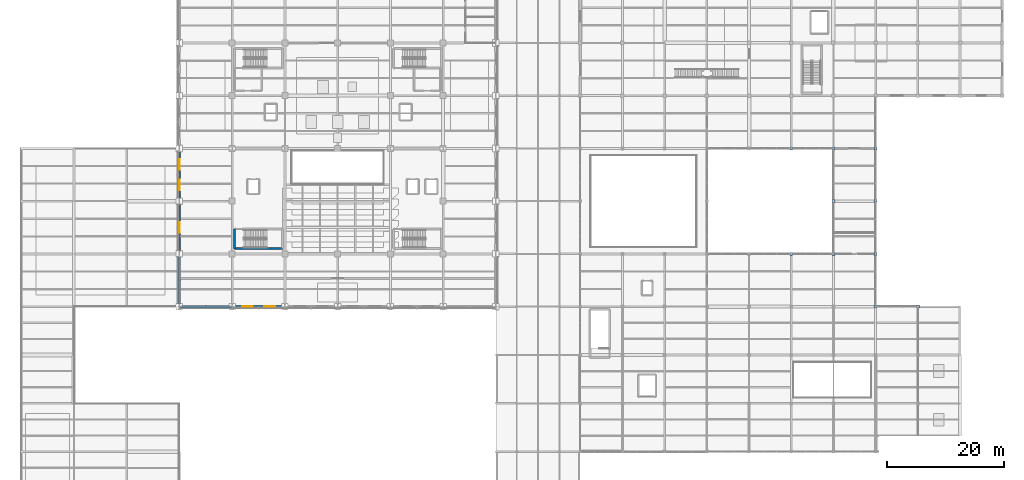
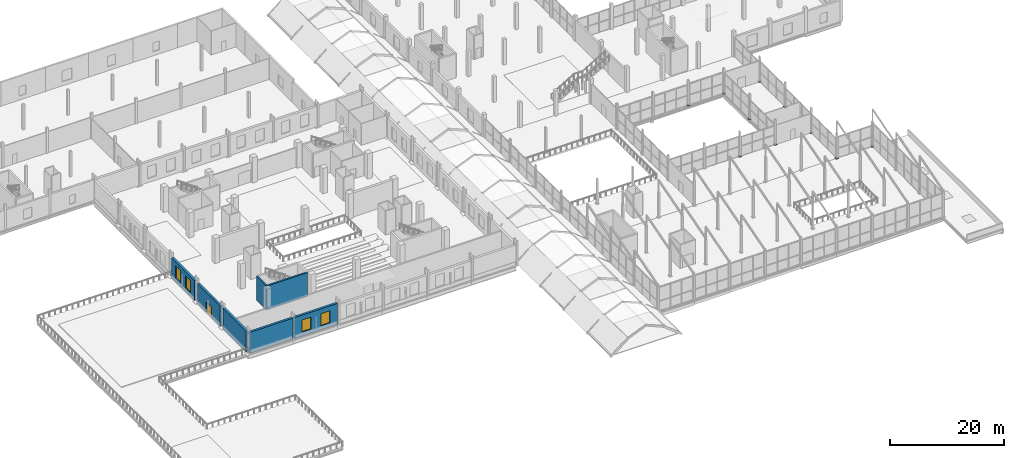
# One storey, part 116 of 141: 10 plates, 7 walls, 4 windows, 1 door, 5 openings.
"""IFC4 building model written with IfcOpenShell, lengths in metres."""

from ifc_helpers import new_model, si_unit, direction, frame, frame_2d, origin, origin_2d, place, context, subcontext, project, spatial, rectangle, extrude, material, layer, layer_set, type_object, element, fill, save


model = new_model("IFC4")

# Units and contexts
model_context = context("Model", 3, precision=1e-05, world=origin(), true_north=direction((0.0, 1.0)))
body_context = subcontext(model_context, "Body", "Model", "MODEL_VIEW")
ifc_project = project(units=[si_unit("LENGTHUNIT", "METRE"), si_unit("AREAUNIT", "SQUARE_METRE"), si_unit("VOLUMEUNIT", "CUBIC_METRE"), si_unit("PLANEANGLEUNIT", "RADIAN"), si_unit("MASSUNIT", "GRAM", prefix="KILO")], contexts=[model_context])

# Site, building, storey
site_placement = place(None, origin())
site = spatial("IfcSite", under=ifc_project, at=site_placement, CompositionType="ELEMENT")
building_placement = place(site_placement, origin())
building = spatial("IfcBuilding", under=site, at=building_placement, Name="Sundgate Opera House", CompositionType="ELEMENT")
storey_placement = place(building_placement, frame((0.0, 0.0, 11.39990234375)))
storey = spatial("IfcBuildingStorey", under=building, at=storey_placement, Name="L02", CompositionType="ELEMENT", Elevation=11.39990234375)

# Plates
ifc_material_1 = material(Name="Steel S355J2", Category="steel")
ifc_layer_1 = layer(ifc_material_1, 0.02587890625)
ifc_layer_set_1 = layer_set([ifc_layer_1], Name="Steel S355J2")
plate_type_1 = type_object("IfcPlateType", Name="PT-BAS-26", PredefinedType="USERDEFINED", material=ifc_layer_set_1)
plate_1_placement = place(storey_placement, frame((131.39990234375, 42.0, 0.000244140625), z_axis=(0.0, 0.0, 1.0), x_axis=(1.0, 0.0, 0.0)))
element("IfcPlate", 1, at=plate_1_placement, inside=storey, type_object=plate_type_1, Name="L02 Base Plate PT0327", ObjectType="BASE PLATE", PredefinedType="USERDEFINED", context=body_context, shape_type="SweptSolid", body=[
    extrude(rectangle(XDim=0.5, YDim=0.5, at=origin_2d()), origin(), (0.0, 0.0, 1.0), 0.02587890625),
])
ifc_material_2 = material(Name="Steel S355J2", Category="steel")
ifc_layer_2 = layer(ifc_material_2, 0.033935546875)
ifc_layer_set_2 = layer_set([ifc_layer_2], Name="Steel S355J2")
plate_type_2 = type_object("IfcPlateType", Name="PT-BAS-34", PredefinedType="USERDEFINED", material=ifc_layer_set_2)
plate_2_placement = place(storey_placement, frame((131.39990234375, 60.0, 0.0), z_axis=(0.0, 0.0, 1.0), x_axis=(1.0, 0.0, 0.0)))
element("IfcPlate", 2, at=plate_2_placement, inside=storey, type_object=plate_type_2, Name="L02 Base Plate PT0330", ObjectType="BASE PLATE", PredefinedType="USERDEFINED", context=body_context, shape_type="SweptSolid", body=[
    extrude(rectangle(XDim=0.5, YDim=0.5, at=origin_2d()), origin(), (0.0, 0.0, 1.0), 0.033935546875),
])
ifc_material_3 = material(Name="Steel S355J2", Category="steel")
ifc_layer_3 = layer(ifc_material_3, 0.035888671875)
ifc_layer_set_3 = layer_set([ifc_layer_3], Name="Steel S355J2")
plate_type_3 = type_object("IfcPlateType", Name="PT-BAS-36", PredefinedType="USERDEFINED", material=ifc_layer_set_3)
plate_3_placement = place(storey_placement, frame((138.60009765625, 42.0, 0.0), z_axis=(0.0, 0.0, 1.0), x_axis=(1.0, 0.0, 0.0)))
element("IfcPlate", 3, at=plate_3_placement, inside=storey, type_object=plate_type_3, Name="L02 Base Plate PT0346", ObjectType="BASE PLATE", PredefinedType="USERDEFINED", context=body_context, shape_type="SweptSolid", body=[
    extrude(rectangle(XDim=0.5, YDim=0.5, at=origin_2d()), origin(), (0.0, 0.0, 1.0), 0.035888671875),
])
ifc_material_4 = material(Name="Steel S355J2", Category="steel")
ifc_layer_4 = layer(ifc_material_4, 0.0400390625)
ifc_layer_set_4 = layer_set([ifc_layer_4], Name="Steel S355J2")
plate_type_4 = type_object("IfcPlateType", Name="PT-BAS-40", PredefinedType="USERDEFINED", material=ifc_layer_set_4)
plate_4_placement = place(storey_placement, frame((138.60009765625, 51.0, 0.0), z_axis=(0.0, 0.0, 1.0), x_axis=(1.0, 0.0, 0.0)))
element("IfcPlate", 4, at=plate_4_placement, inside=storey, type_object=plate_type_4, Name="L02 Base Plate PT0349", ObjectType="BASE PLATE", PredefinedType="USERDEFINED", context=body_context, shape_type="SweptSolid", body=[
    extrude(rectangle(XDim=0.5, YDim=0.5, at=origin_2d()), origin(), (0.0, 0.0, 1.0), 0.0400390625),
])
ifc_material_5 = material(Name="Steel S355J2", Category="steel")
ifc_layer_5 = layer(ifc_material_5, 0.044921875)
ifc_layer_set_5 = layer_set([ifc_layer_5], Name="Steel S355J2")
plate_type_5 = type_object("IfcPlateType", Name="PT-BAS-45", PredefinedType="USERDEFINED", material=ifc_layer_set_5)
for number, where, z_axis, x_axis, name in (
    (5, (138.60009765625, 60.0, 0.000244140625), (0.0, 0.0, 1.0), (1.0, 0.0, 0.0), "L02 Base Plate PT0352"),
    (6, (145.800048828125, 33.0, 0.000244140625), (0.0, 0.0, 1.0), (1.0, 0.0, 0.0), "L02 Base Plate PT0365"),
):
    element("IfcPlate", number, at=place(storey_placement, frame(where, z_axis=z_axis, x_axis=x_axis)), inside=storey, type_object=plate_type_5, Name=name, ObjectType="BASE PLATE", PredefinedType="USERDEFINED", context=body_context, shape_type="SweptSolid", body=[
        extrude(rectangle(XDim=0.5, YDim=0.5, at=origin_2d()), origin(), (0.0, 0.0, 1.0), 0.044921875),
    ])
ifc_material_6 = material(Name="Steel S355J2", Category="steel")
ifc_layer_6 = layer(ifc_material_6, 0.050048828125)
ifc_layer_set_6 = layer_set([ifc_layer_6], Name="Steel S355J2")
plate_type_6 = type_object("IfcPlateType", Name="PT-BAS-50", PredefinedType="USERDEFINED", material=ifc_layer_set_6)
plate_5_placement = place(storey_placement, frame((145.800048828125, 42.0, 0.0), z_axis=(0.0, 0.0, 1.0), x_axis=(1.0, 0.0, 0.0)))
element("IfcPlate", 7, at=plate_5_placement, inside=storey, type_object=plate_type_6, Name="L02 Base Plate PT0368", ObjectType="BASE PLATE", PredefinedType="USERDEFINED", context=body_context, shape_type="SweptSolid", body=[
    extrude(rectangle(XDim=0.5, YDim=0.5, at=origin_2d()), origin(), (0.0, 0.0, 1.0), 0.050048828125),
])
ifc_material_7 = material(Name="Steel S355J2", Category="steel")
ifc_layer_7 = layer(ifc_material_7, 0.06201171875)
ifc_layer_set_7 = layer_set([ifc_layer_7], Name="Steel S355J2")
plate_type_7 = type_object("IfcPlateType", Name="PT-BAS-62", PredefinedType="USERDEFINED", material=ifc_layer_set_7)
plate_6_placement = place(storey_placement, frame((145.800048828125, 60.0, 0.0), z_axis=(0.0, 0.0, 1.0), x_axis=(1.0, 0.0, 0.0)))
element("IfcPlate", 8, at=plate_6_placement, inside=storey, type_object=plate_type_7, Name="L02 Base Plate PT0374", ObjectType="BASE PLATE", PredefinedType="USERDEFINED", context=body_context, shape_type="SweptSolid", body=[
    extrude(rectangle(XDim=0.5, YDim=0.5, at=origin_2d()), origin(), (0.0, 0.0, 1.0), 0.06201171875),
])
ifc_material_8 = material(Name="Steel S355J2", Category="steel")
ifc_layer_8 = layer(ifc_material_8, 0.068115234375)
ifc_layer_set_8 = layer_set([ifc_layer_8], Name="Steel S355J2")
plate_type_8 = type_object("IfcPlateType", Name="PT-BAS-68", PredefinedType="USERDEFINED", material=ifc_layer_set_8)
for number, where, z_axis, x_axis, name in (
    (9, (145.800048828125, 51.0, 0.0), (0.0, 0.0, 1.0), (1.0, 0.0, 0.0), "L02 Base Plate PT0371"),
    (10, (153.0, 33.0, 0.0), (0.0, 0.0, 1.0), (1.0, 0.0, 0.0), "L02 Base Plate PT0388"),
):
    element("IfcPlate", number, at=place(storey_placement, frame(where, z_axis=z_axis, x_axis=x_axis)), inside=storey, type_object=plate_type_8, Name=name, ObjectType="BASE PLATE", PredefinedType="USERDEFINED", context=body_context, shape_type="SweptSolid", body=[
        extrude(rectangle(XDim=0.5, YDim=0.5, at=origin_2d()), origin(), (0.0, 0.0, 1.0), 0.068115234375),
    ])

# Walls
ifc_material_9 = material(Name="Concrete C40/50", Category="concrete")
ifc_layer_9 = layer(ifc_material_9, 0.35009765625)
ifc_layer_set_9 = layer_set([ifc_layer_9], Name="Concrete C40/50")
wall_type_1 = type_object("IfcWallType", Name="WL-CORE-350", PredefinedType="SHEAR", material=ifc_layer_set_9)
wall_1_placement = place(storey_placement, frame((36.409912109375, 42.909912109375, 0.0), z_axis=(0.0, 0.0, 1.0), x_axis=(1.0, 0.0, 0.0)))
element("IfcWall", 11, at=wall_1_placement, inside=storey, type_object=wall_type_1, Name="L02 C1 South Shaft Wall", PredefinedType="SHEAR", context=body_context, shape_type="SweptSolid", body=[
    extrude(rectangle(XDim=8.18017578125, YDim=0.35009765625, at=frame_2d((4.090087890625, 0.0))), origin(), (0.0, 0.0, 1.0), 5.1201171875),
])
wall_2_placement = place(storey_placement, frame((36.409912109375, 42.909912109375, 0.0), z_axis=(0.0, 0.0, 1.0), x_axis=(0.0, 1.0, 0.0)))
element("IfcWall", 12, at=wall_2_placement, inside=storey, type_object=wall_type_1, Name="L02 C1 West Shaft Wall", PredefinedType="SHEAR", context=body_context, shape_type="SweptSolid", body=[
    extrude(rectangle(XDim=3.330078125, YDim=0.35009765625, at=frame_2d((1.6650390625, 0.0))), origin(), (0.0, 0.0, 1.0), 5.1201171875),
])
ifc_material_10 = material(Name="Komstad limestone ashlar masonry", Category="masonry")
ifc_layer_10 = layer(ifc_material_10, 0.43994140625)
ifc_layer_set_10 = layer_set([ifc_layer_10], Name="Komstad limestone ashlar masonry")
wall_type_2 = type_object("IfcWallType", Name="WL-EXT-LIME-440", PredefinedType="SOLIDWALL", material=ifc_layer_set_10)
wall_3_placement = place(storey_placement, frame((35.85498046875, 33.0, 0.0), z_axis=(0.0, 0.0, 1.0), x_axis=(-1.0, 0.0, 0.0)))
element("IfcWall", 13, at=wall_3_placement, inside=storey, type_object=wall_type_2, Name="L02 Lifted Cube South Relief Wall W0045", PredefinedType="SOLIDWALL", context=body_context, shape_type="SweptSolid", body=[
    extrude(rectangle(XDim=8.7099609375, YDim=0.43994140625, at=frame_2d((4.35498046875, 0.0))), origin(), (0.0, 0.0, 1.0), 4.485107421875),
])

# Wall, openings, windows
wall_4_placement = place(storey_placement, frame((44.85498046875, 33.0, 0.0), z_axis=(0.0, 0.0, 1.0), x_axis=(-1.0, 0.0, 0.0)))
wall_4 = element("IfcWall", 14, at=wall_4_placement, inside=storey, type_object=wall_type_2, Name="L02 Lifted Cube South Relief Wall W0047", PredefinedType="SOLIDWALL", context=body_context, shape_type="SweptSolid", body=[
    extrude(rectangle(XDim=8.7099609375, YDim=0.43994140625, at=frame_2d((4.35498046875, 0.0))), origin(), (0.0, 0.0, 1.0), 4.485107421875),
])
opening_1_placement = place(wall_4_placement, frame((1.5390625, 0.0, 0.85009765625)))
opening_1 = element("IfcOpeningElement", 15, at=opening_1_placement, cuts=wall_4, Name="Opening W01", PredefinedType="OPENING", context=body_context, shape_type="SweptSolid", body=[
    extrude(rectangle(XDim=1.800048828125, YDim=2.60009765625, at=frame_2d((0.89990234375, 1.300048828125))), frame((0.0, 0.22998046875, 0.0), z_axis=(0.0, -1.0, 0.0), x_axis=(1.0, 0.0, 0.0)), (0.0, 0.0, 1.0), 0.4599609375),
])
opening_2_placement = place(wall_4_placement, frame((5.37109375, 0.0, 0.85009765625)))
opening_2 = element("IfcOpeningElement", 16, at=opening_2_placement, cuts=wall_4, Name="Opening W01", PredefinedType="OPENING", context=body_context, shape_type="SweptSolid", body=[
    extrude(rectangle(XDim=1.800048828125, YDim=2.60009765625, at=frame_2d((0.89990234375, 1.300048828125))), frame((0.0, 0.22998046875, 0.0), z_axis=(0.0, -1.0, 0.0), x_axis=(1.0, 0.0, 0.0)), (0.0, 0.0, 1.0), 0.4599609375),
])
ifc_material_11 = material(Name="Low-iron triple glazing in patinated bronze frame", Category="glass")
window_type = type_object("IfcWindowType", Name="WN-CUBE-1800x2600", PartitioningType="SINGLE_PANEL", PredefinedType="WINDOW", material=ifc_material_11)
window_1_placement = place(opening_1_placement, origin())
window_1 = element("IfcWindow", 17, at=window_1_placement, inside=storey, type_object=window_type, Name="L02 Cube Loggia Window WN0001", OverallHeight=2.60009765625, OverallWidth=1.800048828125, PartitioningType="SINGLE_PANEL", PredefinedType="WINDOW", context=body_context, shape_type="SweptSolid", body=[
    extrude(rectangle(XDim=1.800048828125, YDim=2.60009765625, at=frame_2d((0.89990234375, 1.300048828125))), frame((0.0, 0.030029296875, 0.0), z_axis=(0.0, -1.0, 0.0), x_axis=(1.0, 0.0, 0.0)), (0.0, 0.0, 1.0), 0.06005859375),
])
fill(opening_1, window_1)
window_2_placement = place(opening_2_placement, origin())
window_2 = element("IfcWindow", 18, at=window_2_placement, inside=storey, type_object=window_type, Name="L02 Cube Loggia Window WN0002", OverallHeight=2.60009765625, OverallWidth=1.800048828125, PartitioningType="SINGLE_PANEL", PredefinedType="WINDOW", context=body_context, shape_type="SweptSolid", body=[
    extrude(rectangle(XDim=1.800048828125, YDim=2.60009765625, at=frame_2d((0.89990234375, 1.300048828125))), frame((0.0, 0.030029296875, 0.0), z_axis=(0.0, -1.0, 0.0), x_axis=(1.0, 0.0, 0.0)), (0.0, 0.0, 1.0), 0.06005859375),
])
fill(opening_2, window_2)

# Wall
wall_5_placement = place(storey_placement, frame((27.0, 41.5048828125, 0.0), z_axis=(0.0, 0.0, 1.0), x_axis=(0.0, -1.0, 0.0)))
element("IfcWall", 19, at=wall_5_placement, inside=storey, type_object=wall_type_2, Name="L02 Lifted Cube West Relief Wall W0057", PredefinedType="SOLIDWALL", context=body_context, shape_type="SweptSolid", body=[
    extrude(rectangle(XDim=8.009765625, YDim=0.43994140625, at=frame_2d((4.0048828125, 0.0))), origin(), (0.0, 0.0, 1.0), 4.485107421875),
])

# Wall, opening, door
wall_6_placement = place(storey_placement, frame((27.0, 50.5048828125, 0.0), z_axis=(0.0, 0.0, 1.0), x_axis=(0.0, -1.0, 0.0)))
wall_6 = element("IfcWall", 20, at=wall_6_placement, inside=storey, type_object=wall_type_2, Name="L02 Lifted Cube West Relief Wall W0059", PredefinedType="SOLIDWALL", context=body_context, shape_type="SweptSolid", body=[
    extrude(rectangle(XDim=8.009765625, YDim=0.43994140625, at=frame_2d((4.0048828125, 0.0))), origin(), (0.0, 0.0, 1.0), 4.335205078125),
])
opening_3_placement = place(wall_6_placement, frame((3.10498046875, 0.0, 0.0)))
opening_3 = element("IfcOpeningElement", 21, at=opening_3_placement, cuts=wall_6, Name="Opening DE2", PredefinedType="OPENING", context=body_context, shape_type="SweptSolid", body=[
    extrude(rectangle(XDim=1.800048828125, YDim=2.25, at=frame_2d((0.89990234375, 1.125))), frame((0.0, 0.22998046875, 0.0), z_axis=(0.0, -1.0, 0.0), x_axis=(1.0, 0.0, 0.0)), (0.0, 0.0, 1.0), 0.4599609375),
])
ifc_material_12 = material(Name="Patinated bronze and laminated safety glass", Category="glass")
door_type = type_object("IfcDoorType", Name="DR-TERR-1800x2250", OperationType="NOTDEFINED", PredefinedType="DOOR", material=ifc_material_12)
door_placement = place(opening_3_placement, origin())
door = element("IfcDoor", 22, at=door_placement, inside=storey, type_object=door_type, Name="L02 Roof Terrace Access Door D0022", OperationType="SINGLE_SWING_LEFT", OverallHeight=2.25, OverallWidth=1.800048828125, PredefinedType="DOOR", context=body_context, shape_type="SweptSolid", body=[
    extrude(rectangle(XDim=1.800048828125, YDim=2.25, at=frame_2d((0.89990234375, 1.125))), frame((0.0, 0.02490234375, 0.0), z_axis=(0.0, -1.0, 0.0), x_axis=(1.0, 0.0, 0.0)), (0.0, 0.0, 1.0), 0.050048828125),
])
fill(opening_3, door)

# Wall, openings, windows
wall_7_placement = place(storey_placement, frame((27.0, 59.5048828125, 0.0), z_axis=(0.0, 0.0, 1.0), x_axis=(0.0, -1.0, 0.0)))
wall_7 = element("IfcWall", 23, at=wall_7_placement, inside=storey, type_object=wall_type_2, Name="L02 Lifted Cube West Relief Wall W0061", PredefinedType="SOLIDWALL", context=body_context, shape_type="SweptSolid", body=[
    extrude(rectangle(XDim=8.009765625, YDim=0.43994140625, at=frame_2d((4.0048828125, 0.0))), origin(), (0.0, 0.0, 1.0), 4.335205078125),
])
opening_4_placement = place(wall_7_placement, frame((1.343017578125, 0.0, 0.85009765625)))
opening_4 = element("IfcOpeningElement", 24, at=opening_4_placement, cuts=wall_7, Name="Opening W01", PredefinedType="OPENING", context=body_context, shape_type="SweptSolid", body=[
    extrude(rectangle(XDim=1.800048828125, YDim=2.60009765625, at=frame_2d((0.89990234375, 1.300048828125))), frame((0.0, 0.22998046875, 0.0), z_axis=(0.0, -1.0, 0.0), x_axis=(1.0, 0.0, 0.0)), (0.0, 0.0, 1.0), 0.4599609375),
])
opening_5_placement = place(wall_7_placement, frame((4.866943359375, 0.0, 0.85009765625)))
opening_5 = element("IfcOpeningElement", 25, at=opening_5_placement, cuts=wall_7, Name="Opening W01", PredefinedType="OPENING", context=body_context, shape_type="SweptSolid", body=[
    extrude(rectangle(XDim=1.800048828125, YDim=2.60009765625, at=frame_2d((0.89990234375, 1.300048828125))), frame((0.0, 0.22998046875, 0.0), z_axis=(0.0, -1.0, 0.0), x_axis=(1.0, 0.0, 0.0)), (0.0, 0.0, 1.0), 0.4599609375),
])
window_3_placement = place(opening_4_placement, origin())
window_3 = element("IfcWindow", 26, at=window_3_placement, inside=storey, type_object=window_type, Name="L02 Cube Loggia Window WN0019", OverallHeight=2.60009765625, OverallWidth=1.800048828125, PartitioningType="SINGLE_PANEL", PredefinedType="WINDOW", context=body_context, shape_type="SweptSolid", body=[
    extrude(rectangle(XDim=1.800048828125, YDim=2.60009765625, at=frame_2d((0.89990234375, 1.300048828125))), frame((0.0, 0.030029296875, 0.0), z_axis=(0.0, -1.0, 0.0), x_axis=(1.0, 0.0, 0.0)), (0.0, 0.0, 1.0), 0.06005859375),
])
fill(opening_4, window_3)
window_4_placement = place(opening_5_placement, origin())
window_4 = element("IfcWindow", 27, at=window_4_placement, inside=storey, type_object=window_type, Name="L02 Cube Loggia Window WN0020", OverallHeight=2.60009765625, OverallWidth=1.800048828125, PartitioningType="SINGLE_PANEL", PredefinedType="WINDOW", context=body_context, shape_type="SweptSolid", body=[
    extrude(rectangle(XDim=1.800048828125, YDim=2.60009765625, at=frame_2d((0.89990234375, 1.300048828125))), frame((0.0, 0.030029296875, 0.0), z_axis=(0.0, -1.0, 0.0), x_axis=(1.0, 0.0, 0.0)), (0.0, 0.0, 1.0), 0.06005859375),
])
fill(opening_5, window_4)

save(model, "model.ifc")
